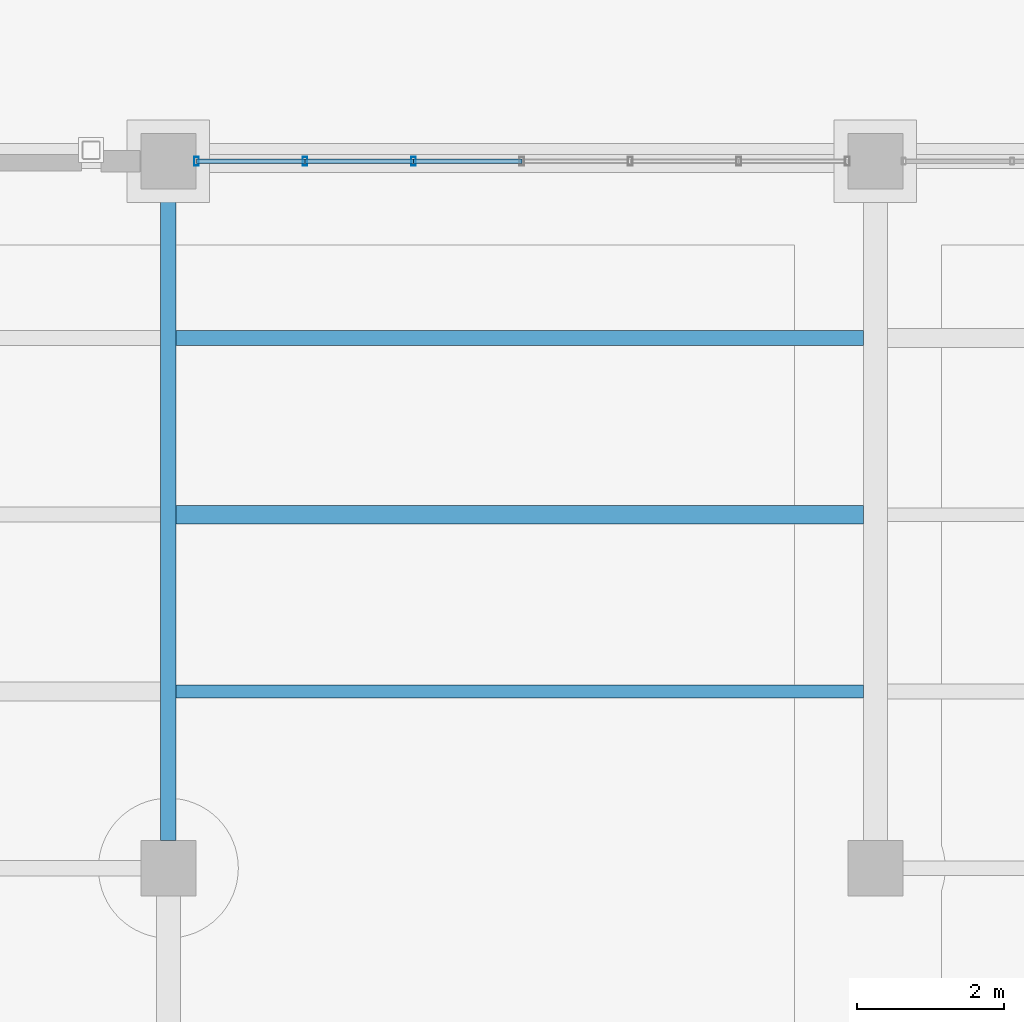
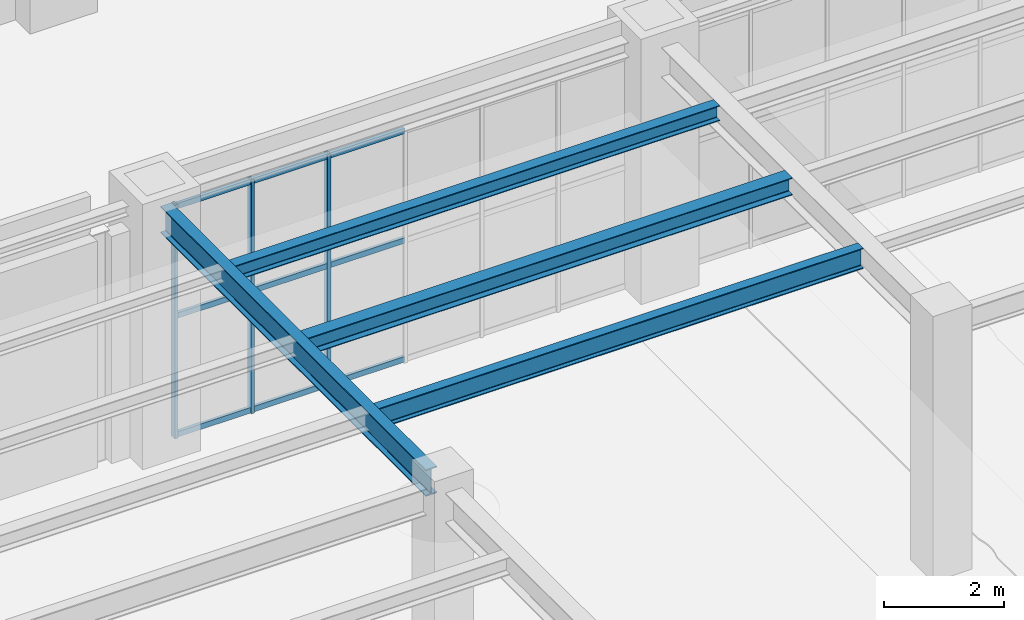
# One storey, part 34 of 164: 12 members, 4 beams, 1 element without a shape of its own.
"""IFC4 building model written with IfcOpenShell, lengths in metres."""

from ifc_helpers import new_model, si_unit, direction, frame, origin, origin_2d, place, context, subcontext, project, spatial, hollow_rectangle, i_section, extrude, material, material_profile, profile_set, type_object, element, aggregate, save


model = new_model("IFC4")

# Units and contexts
model_context = context("Model", 3, precision=1e-05, world=origin(), true_north=direction((0.0, 1.0)))
body_context = subcontext(model_context, "Body", "Model", "MODEL_VIEW")
ifc_project = project(units=[si_unit("LENGTHUNIT", "METRE"), si_unit("AREAUNIT", "SQUARE_METRE"), si_unit("VOLUMEUNIT", "CUBIC_METRE"), si_unit("PLANEANGLEUNIT", "RADIAN"), si_unit("MASSUNIT", "GRAM", prefix="KILO")], contexts=[model_context])

# Site, building, storey
site_placement = place(None, origin())
site = spatial("IfcSite", under=ifc_project, at=site_placement, CompositionType="ELEMENT")
building_placement = place(site_placement, origin())
building = spatial("IfcBuilding", under=site, at=building_placement, Name="Mavantir Sound Aquarium", CompositionType="ELEMENT")
storey_placement = place(building_placement, origin())
storey = spatial("IfcBuildingStorey", under=building, at=storey_placement, Name="L00", CompositionType="ELEMENT", Elevation=0.0)

# Beams
ifc_material_1 = material(Name="Structural Steel ASTM A992 Gr50", Category="steel")
ifc_material_profile_1 = material_profile(ifc_material_1, i_section(OverallWidth=0.205078125, OverallDepth=0.31005859375, WebThickness=0.009521484375, FlangeThickness=0.016357421875, FilletRadius=0.012939453125, at=origin_2d()), Name="W310X74")
ifc_profile_set_1 = profile_set([ifc_material_profile_1], Name="Structural Steel ASTM A992 Gr50")
beam_type_1 = type_object("IfcBeamType", Name="BM-W310X74-I", PredefinedType="JOIST", material=ifc_profile_set_1)
beam_1_placement = place(storey_placement, frame((19.305908203125, 26.39990234375, 4.94091796875), z_axis=(1.0, 0.0, 0.0), x_axis=(0.0, 1.0, 0.0)))
element("IfcBeam", 1, at=beam_1_placement, inside=storey, type_object=beam_type_1, Name="L00 secondary floor joist SJ-31 503", PredefinedType="JOIST", context=body_context, shape_type="SweptSolid", body=[
    extrude(i_section(OverallWidth=0.205078125, OverallDepth=0.31005859375, WebThickness=0.009521484375, FlangeThickness=0.016357421875, FilletRadius=0.012939453125, at=origin_2d()), origin(), (0.0, 0.0, 1.0), 9.33203125),
])
ifc_material_profile_2 = material_profile(ifc_material_1, i_section(OverallWidth=0.25390625, OverallDepth=0.35302734375, WebThickness=0.009521484375, FlangeThickness=0.016357421875, FilletRadius=0.014892578125, at=origin_2d()), Name="W360X91")
ifc_profile_set_2 = profile_set([ifc_material_profile_2], Name="Structural Steel ASTM A992 Gr50")
beam_type_2 = type_object("IfcBeamType", Name="BM-W360X91-I", PredefinedType="JOIST", material=ifc_profile_set_2)
beam_2_placement = place(storey_placement, frame((19.305908203125, 24.0, 4.91943359375), z_axis=(1.0, 0.0, 0.0), x_axis=(0.0, 1.0, 0.0)))
element("IfcBeam", 2, at=beam_2_placement, inside=storey, type_object=beam_type_2, Name="L00 secondary floor joist SJ-36 502", PredefinedType="JOIST", context=body_context, shape_type="SweptSolid", body=[
    extrude(i_section(OverallWidth=0.25390625, OverallDepth=0.35302734375, WebThickness=0.009521484375, FlangeThickness=0.016357421875, FilletRadius=0.014892578125, at=origin_2d()), origin(), (0.0, 0.0, 1.0), 9.33203125),
])
ifc_material_profile_3 = material_profile(ifc_material_1, i_section(OverallWidth=0.180908203125, OverallDepth=0.4169921875, WebThickness=0.010986328125, FlangeThickness=0.018310546875, FilletRadius=0.014892578125, at=origin_2d()), Name="W410X85")
ifc_profile_set_3 = profile_set([ifc_material_profile_3], Name="Structural Steel ASTM A992 Gr50")
beam_type_3 = type_object("IfcBeamType", Name="BM-W410X85-I", PredefinedType="JOIST", material=ifc_profile_set_3)
beam_3_placement = place(storey_placement, frame((19.305908203125, 21.60009765625, 4.887451171875), z_axis=(1.0, 0.0, 0.0), x_axis=(0.0, 1.0, 0.0)))
element("IfcBeam", 3, at=beam_3_placement, inside=storey, type_object=beam_type_3, Name="L00 secondary floor joist SJ-41 501", PredefinedType="JOIST", context=body_context, shape_type="SweptSolid", body=[
    extrude(i_section(OverallWidth=0.180908203125, OverallDepth=0.4169921875, WebThickness=0.010986328125, FlangeThickness=0.018310546875, FilletRadius=0.014892578125, at=origin_2d()), origin(), (0.0, 0.0, 1.0), 9.33203125),
])
ifc_material_profile_4 = material_profile(ifc_material_1, i_section(OverallWidth=0.2119140625, OverallDepth=0.5439453125, WebThickness=0.01318359375, FlangeThickness=0.021240234375, FilletRadius=0.01806640625, at=origin_2d()), Name="W530X123")
ifc_profile_set_4 = profile_set([ifc_material_profile_4], Name="Structural Steel ASTM A992 Gr50")
beam_type_4 = type_object("IfcBeamType", Name="BM-W530X123-I", PredefinedType="BEAM", material=ifc_profile_set_4)
beam_4_placement = place(storey_placement, frame((19.199951171875, 19.574951171875, 4.823974609375), z_axis=(0.0, 1.0, 0.0), x_axis=(-1.0, 0.0, 0.0)))
element("IfcBeam", 4, at=beam_4_placement, inside=storey, type_object=beam_type_4, Name="L00 primary girder SB-53 914", PredefinedType="BEAM", context=body_context, shape_type="SweptSolid", body=[
    extrude(i_section(OverallWidth=0.2119140625, OverallDepth=0.5439453125, WebThickness=0.01318359375, FlangeThickness=0.021240234375, FilletRadius=0.01806640625, at=origin_2d()), origin(), (0.0, 0.0, 1.0), 8.85009765625),
])

# Curtain wall, members
ifc_material_2 = material(Name="Anodised Marine Aluminium and Low-E Glass", Category="aluminium")
curtain_wall_type = type_object("IfcCurtainWallType", Name="CW-T08", PredefinedType="USERDEFINED", material=ifc_material_2)
curtain_wall_placement = place(storey_placement, origin())
curtain_wall = element("IfcCurtainWall", 5, at=curtain_wall_placement, inside=storey, type_object=curtain_wall_type, Name="L00 unitised curtain wall CW-08 8", ObjectType="UNITISED GLAZING", PredefinedType="USERDEFINED")
ifc_material_3 = material(Name="Anodised Marine Aluminium 6063-T6", Category="aluminium")
ifc_material_profile_5 = material_profile(ifc_material_3, hollow_rectangle(XDim=0.06494140625, YDim=0.1201171875, WallThickness=0.00390625, at=origin_2d()), Name="ALU-MULLION-120X65")
ifc_profile_set_5 = profile_set([ifc_material_profile_5], Name="Anodised Marine Aluminium 6063-T6")
member_type_1 = type_object("IfcMemberType", Name="CW-MUL-120", PredefinedType="MULLION", material=ifc_profile_set_5)
member_1_placement = place(storey_placement, frame((22.527587890625, 28.800048828125, 0.0), z_axis=(0.0, 0.0, 1.0), x_axis=(1.0, 0.0, 0.0)))
member_1 = element("IfcMember", 6, at=member_1_placement, type_object=member_type_1, Name="CW-L00-008 vertical mullion 5", PredefinedType="MULLION", context=body_context, shape_type="SweptSolid", body=[
    extrude(hollow_rectangle(XDim=0.06494140625, YDim=0.1201171875, WallThickness=0.00390625, at=origin_2d()), origin(), (0.0, 0.0, 1.0), 4.758056640625),
])
member_2_placement = place(storey_placement, frame((21.055419921875, 28.800048828125, 0.0), z_axis=(0.0, 0.0, 1.0), x_axis=(1.0, 0.0, 0.0)))
member_2 = element("IfcMember", 7, at=member_2_placement, type_object=member_type_1, Name="CW-L00-008 vertical mullion 6", PredefinedType="MULLION", context=body_context, shape_type="SweptSolid", body=[
    extrude(hollow_rectangle(XDim=0.06494140625, YDim=0.1201171875, WallThickness=0.00390625, at=origin_2d()), origin(), (0.0, 0.0, 1.0), 4.758056640625),
])
member_3_placement = place(storey_placement, frame((19.5830078125, 28.800048828125, 0.0), z_axis=(0.0, 0.0, 1.0), x_axis=(1.0, 0.0, 0.0)))
member_3 = element("IfcMember", 8, at=member_3_placement, type_object=member_type_1, Name="CW-L00-008 vertical mullion 7", PredefinedType="MULLION", context=body_context, shape_type="SweptSolid", body=[
    extrude(hollow_rectangle(XDim=0.06494140625, YDim=0.1201171875, WallThickness=0.00390625, at=origin_2d()), origin(), (0.0, 0.0, 1.0), 4.758056640625),
])
ifc_material_profile_6 = material_profile(ifc_material_3, hollow_rectangle(XDim=0.06005859375, YDim=0.110107421875, WallThickness=0.00390625, at=origin_2d()), Name="ALU-TRANSOM-110X60")
ifc_profile_set_6 = profile_set([ifc_material_profile_6], Name="Anodised Marine Aluminium 6063-T6")
member_type_2 = type_object("IfcMemberType", Name="CW-TRN-110", PredefinedType="USERDEFINED", material=ifc_profile_set_6)
member_4_placement = place(storey_placement, frame((24.0, 28.800048828125, 0.054931640625), z_axis=(-1.0, 0.0, 0.0), x_axis=(0.0, -1.0, 0.0)))
member_4 = element("IfcMember", 9, at=member_4_placement, type_object=member_type_2, Name="CW-L00-008 transom 4.1", ObjectType="TRANSOM", PredefinedType="USERDEFINED", context=body_context, shape_type="SweptSolid", body=[
    extrude(hollow_rectangle(XDim=0.06005859375, YDim=0.110107421875, WallThickness=0.00390625, at=origin_2d()), origin(), (0.0, 0.0, 1.0), 1.472412109375),
])
member_5_placement = place(storey_placement, frame((24.0, 28.800048828125, 2.47412109375), z_axis=(-1.0, 0.0, 0.0), x_axis=(0.0, -1.0, 0.0)))
member_5 = element("IfcMember", 10, at=member_5_placement, type_object=member_type_2, Name="CW-L00-008 transom 4.2", ObjectType="TRANSOM", PredefinedType="USERDEFINED", context=body_context, shape_type="SweptSolid", body=[
    extrude(hollow_rectangle(XDim=0.06005859375, YDim=0.110107421875, WallThickness=0.00390625, at=origin_2d()), origin(), (0.0, 0.0, 1.0), 1.472412109375),
])
member_6_placement = place(storey_placement, frame((24.0, 28.800048828125, 4.702880859375), z_axis=(-1.0, 0.0, 0.0), x_axis=(0.0, -1.0, 0.0)))
member_6 = element("IfcMember", 11, at=member_6_placement, type_object=member_type_2, Name="CW-L00-008 transom 4.3", ObjectType="TRANSOM", PredefinedType="USERDEFINED", context=body_context, shape_type="SweptSolid", body=[
    extrude(hollow_rectangle(XDim=0.06005859375, YDim=0.110107421875, WallThickness=0.00390625, at=origin_2d()), origin(), (0.0, 0.0, 1.0), 1.472412109375),
])
member_7_placement = place(storey_placement, frame((22.527587890625, 28.800048828125, 0.054931640625), z_axis=(-1.0, 0.0, 0.0), x_axis=(0.0, -1.0, 0.0)))
member_7 = element("IfcMember", 12, at=member_7_placement, type_object=member_type_2, Name="CW-L00-008 transom 5.1", ObjectType="TRANSOM", PredefinedType="USERDEFINED", context=body_context, shape_type="SweptSolid", body=[
    extrude(hollow_rectangle(XDim=0.06005859375, YDim=0.110107421875, WallThickness=0.00390625, at=origin_2d()), origin(), (0.0, 0.0, 1.0), 1.47216796875),
])
member_8_placement = place(storey_placement, frame((22.527587890625, 28.800048828125, 2.47412109375), z_axis=(-1.0, 0.0, 0.0), x_axis=(0.0, -1.0, 0.0)))
member_8 = element("IfcMember", 13, at=member_8_placement, type_object=member_type_2, Name="CW-L00-008 transom 5.2", ObjectType="TRANSOM", PredefinedType="USERDEFINED", context=body_context, shape_type="SweptSolid", body=[
    extrude(hollow_rectangle(XDim=0.06005859375, YDim=0.110107421875, WallThickness=0.00390625, at=origin_2d()), origin(), (0.0, 0.0, 1.0), 1.47216796875),
])
member_9_placement = place(storey_placement, frame((22.527587890625, 28.800048828125, 4.702880859375), z_axis=(-1.0, 0.0, 0.0), x_axis=(0.0, -1.0, 0.0)))
member_9 = element("IfcMember", 14, at=member_9_placement, type_object=member_type_2, Name="CW-L00-008 transom 5.3", ObjectType="TRANSOM", PredefinedType="USERDEFINED", context=body_context, shape_type="SweptSolid", body=[
    extrude(hollow_rectangle(XDim=0.06005859375, YDim=0.110107421875, WallThickness=0.00390625, at=origin_2d()), origin(), (0.0, 0.0, 1.0), 1.47216796875),
])
member_10_placement = place(storey_placement, frame((21.055419921875, 28.800048828125, 0.054931640625), z_axis=(-1.0, 0.0, 0.0), x_axis=(0.0, -1.0, 0.0)))
member_10 = element("IfcMember", 15, at=member_10_placement, type_object=member_type_2, Name="CW-L00-008 transom 6.1", ObjectType="TRANSOM", PredefinedType="USERDEFINED", context=body_context, shape_type="SweptSolid", body=[
    extrude(hollow_rectangle(XDim=0.06005859375, YDim=0.110107421875, WallThickness=0.00390625, at=origin_2d()), origin(), (0.0, 0.0, 1.0), 1.472412109375),
])
member_11_placement = place(storey_placement, frame((21.055419921875, 28.800048828125, 2.47412109375), z_axis=(-1.0, 0.0, 0.0), x_axis=(0.0, -1.0, 0.0)))
member_11 = element("IfcMember", 16, at=member_11_placement, type_object=member_type_2, Name="CW-L00-008 transom 6.2", ObjectType="TRANSOM", PredefinedType="USERDEFINED", context=body_context, shape_type="SweptSolid", body=[
    extrude(hollow_rectangle(XDim=0.06005859375, YDim=0.110107421875, WallThickness=0.00390625, at=origin_2d()), origin(), (0.0, 0.0, 1.0), 1.472412109375),
])
member_12_placement = place(storey_placement, frame((21.055419921875, 28.800048828125, 4.702880859375), z_axis=(-1.0, 0.0, 0.0), x_axis=(0.0, -1.0, 0.0)))
member_12 = element("IfcMember", 17, at=member_12_placement, type_object=member_type_2, Name="CW-L00-008 transom 6.3", ObjectType="TRANSOM", PredefinedType="USERDEFINED", context=body_context, shape_type="SweptSolid", body=[
    extrude(hollow_rectangle(XDim=0.06005859375, YDim=0.110107421875, WallThickness=0.00390625, at=origin_2d()), origin(), (0.0, 0.0, 1.0), 1.472412109375),
])
aggregate(curtain_wall, [member_1, member_2, member_3, member_4, member_5, member_6, member_7, member_8, member_9, member_10, member_11, member_12])

save(model, "model.ifc")
